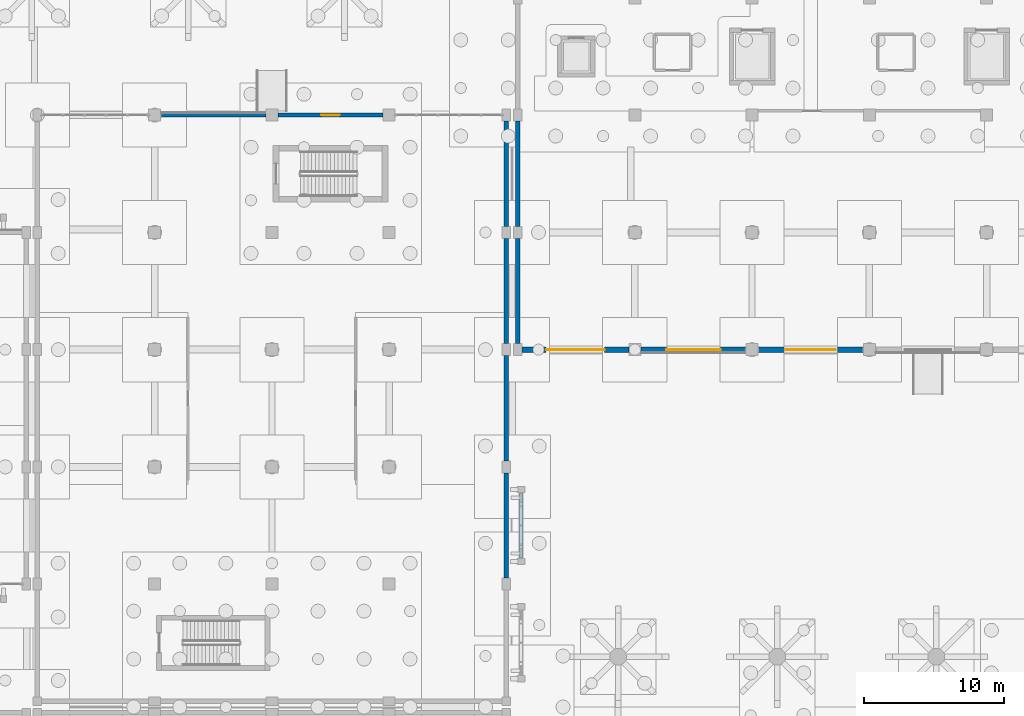
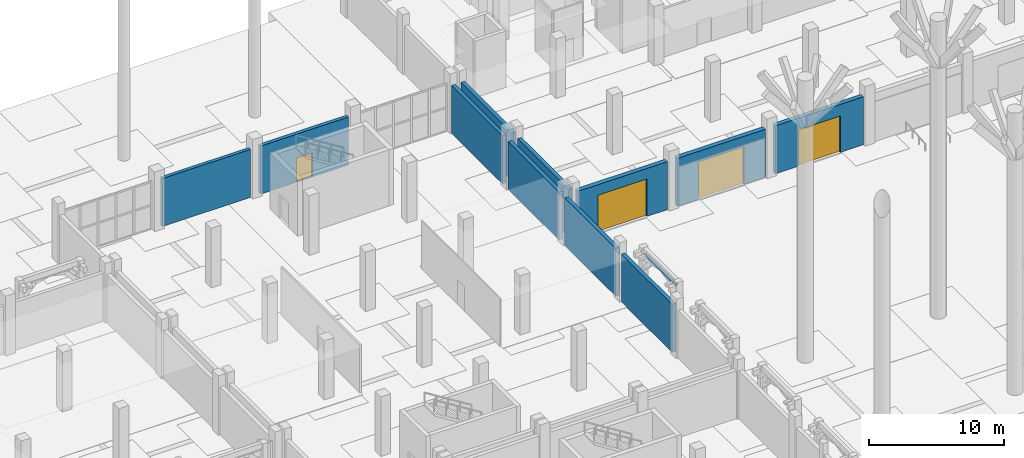
# One storey, part 69 of 98: 12 walls, 4 doors, 4 openings.
"""IFC4 building model written with IfcOpenShell, lengths in metres."""

from ifc_helpers import new_model, si_unit, direction, frame, frame_2d, origin, place, context, subcontext, project, spatial, rectangle, extrude, material, layer, layer_set, type_object, element, fill, save


model = new_model("IFC4")

# Units and contexts
model_context = context("Model", 3, precision=1e-05, world=origin(), true_north=direction((0.0, 1.0)))
body_context = subcontext(model_context, "Body", "Model", "MODEL_VIEW")
ifc_project = project(units=[si_unit("LENGTHUNIT", "METRE"), si_unit("AREAUNIT", "SQUARE_METRE"), si_unit("VOLUMEUNIT", "CUBIC_METRE"), si_unit("PLANEANGLEUNIT", "RADIAN"), si_unit("MASSUNIT", "GRAM", prefix="KILO")], contexts=[model_context])

# Site, building, storey
site_placement = place(None, origin())
site = spatial("IfcSite", under=ifc_project, at=site_placement, CompositionType="ELEMENT")
building_placement = place(site_placement, origin())
building = spatial("IfcBuilding", under=site, at=building_placement, Name="Xazarin Passage Department Store", CompositionType="ELEMENT")
storey_placement = place(building_placement, origin())
storey = spatial("IfcBuildingStorey", under=building, at=storey_placement, Name="L00", CompositionType="ELEMENT", Elevation=0.0)

# Wall, opening, door
ifc_material_1 = material(Name="Concrete C35/45", Category="concrete")
ifc_layer_1 = layer(ifc_material_1, 0.3798828125)
ifc_layer_set_1 = layer_set([ifc_layer_1], Name="Concrete C35/45")
wall_type_1 = type_object("IfcWallType", Name="ARC-W-DCK380", PredefinedType="SOLIDWALL", material=ifc_layer_set_1)
wall_1_placement = place(storey_placement, frame((102.699951171875, 76.39990234375, 0.0), z_axis=(0.0, 0.0, 1.0), x_axis=(1.0, 0.0, 0.0)))
wall_1 = element("IfcWall", 1, at=wall_1_placement, inside=storey, type_object=wall_type_1, Name="L00 V4 Exterior Wall 247", PredefinedType="SOLIDWALL", context=body_context, shape_type="SweptSolid", body=[
    extrude(rectangle(XDim=7.675048828125, YDim=0.3798828125, at=frame_2d((3.83740234375, 0.0))), origin(), (0.0, 0.0, 1.0), 4.35009765625),
])
opening_1_placement = place(wall_1_placement, frame((1.737548828125, 0.0, 0.0)))
opening_1 = element("IfcOpeningElement", 2, at=opening_1_placement, cuts=wall_1, Name="Opening DG-01", PredefinedType="OPENING", context=body_context, shape_type="SweptSolid", body=[
    extrude(rectangle(XDim=4.199951171875, YDim=3.39990234375, at=frame_2d((2.10009765625, 1.699951171875))), frame((0.0, 0.199951171875, 0.0), z_axis=(0.0, -1.0, 0.0), x_axis=(1.0, 0.0, 0.0)), (0.0, 0.0, 1.0), 0.39990234375),
])
ifc_material_2 = material(Name="Steel S355", Category="steel")
door_type_1 = type_object("IfcDoorType", Name="ARC-GT-DCK420", OperationType="NOTDEFINED", PredefinedType="GATE", material=ifc_material_2)
door_1_placement = place(opening_1_placement, origin())
door_1 = element("IfcDoor", 3, at=door_1_placement, inside=storey, type_object=door_type_1, Name="DR-GATE-01", OperationType="ROLLINGUP", OverallHeight=3.39990234375, OverallWidth=4.199951171875, PredefinedType="GATE", context=body_context, shape_type="SweptSolid", body=[
    extrude(rectangle(XDim=4.199951171875, YDim=3.39990234375, at=frame_2d((2.10009765625, 1.699951171875))), frame((0.0, 0.02490234375, 0.0), z_axis=(0.0, -1.0, 0.0), x_axis=(1.0, 0.0, 0.0)), (0.0, 0.0, 1.0), 0.050048828125),
])
fill(opening_1, door_1)

wall_2_placement = place(storey_placement, frame((111.22509765625, 76.39990234375, 0.0), z_axis=(0.0, 0.0, 1.0), x_axis=(1.0, 0.0, 0.0)))
wall_2 = element("IfcWall", 4, at=wall_2_placement, inside=storey, type_object=wall_type_1, Name="L00 V4 Exterior Wall 248", PredefinedType="SOLIDWALL", context=body_context, shape_type="SweptSolid", body=[
    extrude(rectangle(XDim=7.5498046875, YDim=0.3798828125, at=frame_2d((3.77490234375, 0.0))), origin(), (0.0, 0.0, 1.0), 4.35009765625),
])
opening_2_placement = place(wall_2_placement, frame((1.824951171875, 0.0, 0.0)))
opening_2 = element("IfcOpeningElement", 5, at=opening_2_placement, cuts=wall_2, Name="Opening DG-02", PredefinedType="OPENING", context=body_context, shape_type="SweptSolid", body=[
    extrude(rectangle(XDim=3.89990234375, YDim=3.39990234375, at=frame_2d((1.949951171875, 1.699951171875))), frame((0.0, 0.199951171875, 0.0), z_axis=(0.0, -1.0, 0.0), x_axis=(1.0, 0.0, 0.0)), (0.0, 0.0, 1.0), 0.39990234375),
])
door_type_2 = type_object("IfcDoorType", Name="ARC-GT-DCK390", OperationType="NOTDEFINED", PredefinedType="GATE", material=ifc_material_2)
door_2_placement = place(opening_2_placement, origin())
door_2 = element("IfcDoor", 6, at=door_2_placement, inside=storey, type_object=door_type_2, Name="DR-GATE-02", OperationType="ROLLINGUP", OverallHeight=3.39990234375, OverallWidth=3.89990234375, PredefinedType="GATE", context=body_context, shape_type="SweptSolid", body=[
    extrude(rectangle(XDim=3.89990234375, YDim=3.39990234375, at=frame_2d((1.949951171875, 1.699951171875))), frame((0.0, 0.02490234375, 0.0), z_axis=(0.0, -1.0, 0.0), x_axis=(1.0, 0.0, 0.0)), (0.0, 0.0, 1.0), 0.050048828125),
])
fill(opening_2, door_2)

wall_3_placement = place(storey_placement, frame((119.625, 76.39990234375, 0.0), z_axis=(0.0, 0.0, 1.0), x_axis=(1.0, 0.0, 0.0)))
wall_3 = element("IfcWall", 7, at=wall_3_placement, inside=storey, type_object=wall_type_1, Name="L00 V4 Exterior Wall 249", PredefinedType="SOLIDWALL", context=body_context, shape_type="SweptSolid", body=[
    extrude(rectangle(XDim=7.550048828125, YDim=0.3798828125, at=frame_2d((3.77490234375, 0.0))), origin(), (0.0, 0.0, 1.0), 4.35009765625),
])
opening_3_placement = place(wall_3_placement, frame((1.97509765625, 0.0, 0.0)))
opening_3 = element("IfcOpeningElement", 8, at=opening_3_placement, cuts=wall_3, Name="Opening DG-03", PredefinedType="OPENING", context=body_context, shape_type="SweptSolid", body=[
    extrude(rectangle(XDim=3.60009765625, YDim=3.300048828125, at=frame_2d((1.800048828125, 1.64990234375))), frame((0.0, 0.199951171875, 0.0), z_axis=(0.0, -1.0, 0.0), x_axis=(1.0, 0.0, 0.0)), (0.0, 0.0, 1.0), 0.39990234375),
])
door_type_3 = type_object("IfcDoorType", Name="ARC-GT-DCK360", OperationType="NOTDEFINED", PredefinedType="GATE", material=ifc_material_2)
door_3_placement = place(opening_3_placement, origin())
door_3 = element("IfcDoor", 9, at=door_3_placement, inside=storey, type_object=door_type_3, Name="DR-GATE-03", OperationType="ROLLINGUP", OverallHeight=3.300048828125, OverallWidth=3.60009765625, PredefinedType="GATE", context=body_context, shape_type="SweptSolid", body=[
    extrude(rectangle(XDim=3.60009765625, YDim=3.300048828125, at=frame_2d((1.800048828125, 1.64990234375))), frame((0.0, 0.02490234375, 0.0), z_axis=(0.0, -1.0, 0.0), x_axis=(1.0, 0.0, 0.0)), (0.0, 0.0, 1.0), 0.050048828125),
])
fill(opening_3, door_3)

# Wall
ifc_material_3 = material(Name="Precast concrete C40/50", Category="concrete")
ifc_layer_2 = layer(ifc_material_3, 0.280029296875)
ifc_layer_set_2 = layer_set([ifc_layer_2], Name="Precast concrete C40/50")
wall_type_2 = type_object("IfcWallType", Name="ARC-W-EXT280", PredefinedType="SOLIDWALL", material=ifc_layer_set_2)
wall_4_placement = place(storey_placement, frame((76.824951171875, 93.199951171875, 0.0), z_axis=(0.0, 0.0, 1.0), x_axis=(1.0, 0.0, 0.0)))
element("IfcWall", 10, at=wall_4_placement, inside=storey, type_object=wall_type_2, Name="L00 V2N Exterior Wall 142", PredefinedType="SOLIDWALL", context=body_context, shape_type="SweptSolid", body=[
    extrude(rectangle(XDim=7.550048828125, YDim=0.280029296875, at=frame_2d((3.77490234375, 0.0))), origin(), (0.0, 0.0, 1.0), 4.35009765625),
])

# Wall, opening, door
ifc_layer_3 = layer(ifc_material_3, 0.300048828125)
ifc_layer_set_3 = layer_set([ifc_layer_3], Name="Precast concrete C40/50")
wall_type_3 = type_object("IfcWallType", Name="ARC-W-EXT300", PredefinedType="SOLIDWALL", material=ifc_layer_set_3)
wall_5_placement = place(storey_placement, frame((85.22509765625, 93.199951171875, 0.0), z_axis=(0.0, 0.0, 1.0), x_axis=(1.0, 0.0, 0.0)))
wall_5 = element("IfcWall", 11, at=wall_5_placement, inside=storey, type_object=wall_type_3, Name="L00 V2N Exterior Wall 143", PredefinedType="SOLIDWALL", context=body_context, shape_type="SweptSolid", body=[
    extrude(rectangle(XDim=7.5498046875, YDim=0.300048828125, at=frame_2d((3.77490234375, 0.0))), origin(), (0.0, 0.0, 1.0), 4.35009765625),
])
opening_4_placement = place(wall_5_placement, frame((3.10009765625, 0.0, 0.0)))
opening_4 = element("IfcOpeningElement", 12, at=opening_4_placement, cuts=wall_5, Name="Opening ED6", PredefinedType="OPENING", context=body_context, shape_type="SweptSolid", body=[
    extrude(rectangle(XDim=1.35009765625, YDim=2.199951171875, at=frame_2d((0.675048828125, 1.10009765625))), frame((0.0, 0.159912109375, 0.0), z_axis=(0.0, -1.0, 0.0), x_axis=(1.0, 0.0, 0.0)), (0.0, 0.0, 1.0), 0.320068359375),
])
door_type_4 = type_object("IfcDoorType", Name="ARC-DR-EXT135", OperationType="NOTDEFINED", PredefinedType="DOOR", material=ifc_material_2)
door_4_placement = place(opening_4_placement, origin())
door_4 = element("IfcDoor", 13, at=door_4_placement, inside=storey, type_object=door_type_4, Name="DR-EXT-014", OperationType="SINGLE_SWING_LEFT", OverallHeight=2.199951171875, OverallWidth=1.35009765625, PredefinedType="DOOR", context=body_context, shape_type="SweptSolid", body=[
    extrude(rectangle(XDim=1.35009765625, YDim=2.199951171875, at=frame_2d((0.675048828125, 1.10009765625))), frame((0.0, 0.02490234375, 0.0), z_axis=(0.0, -1.0, 0.0), x_axis=(1.0, 0.0, 0.0)), (0.0, 0.0, 1.0), 0.050048828125),
])
fill(opening_4, door_4)

# Walls
ifc_material_4 = material(Name="Buff Baku clay brick", Category="masonry")
ifc_layer_4 = layer(ifc_material_4, 0.320068359375)
ifc_layer_set_4 = layer_set([ifc_layer_4], Name="Buff Baku clay brick")
wall_type_4 = type_object("IfcWallType", Name="ARC-W-EXT320", PredefinedType="SOLIDWALL", material=ifc_layer_set_4)
for number, where, z_axis, x_axis, name in (
    (14, (101.60009765625, 60.02490234375, 0.0), (0.0, 0.0, 1.0), (0.0, 1.0, 0.0), "L00 V2N Exterior Wall 150"),
    (15, (101.60009765625, 68.425048828125, 0.0), (0.0, 0.0, 1.0), (0.0, 1.0, 0.0), "L00 V2N Exterior Wall 151"),
    (16, (101.60009765625, 76.824951171875, 0.0), (0.0, 0.0, 1.0), (0.0, 1.0, 0.0), "L00 V2N Exterior Wall 152"),
):
    element("IfcWall", number, at=place(storey_placement, frame(where, z_axis=z_axis, x_axis=x_axis)), inside=storey, type_object=wall_type_4, Name=name, PredefinedType="SOLIDWALL", context=body_context, shape_type="SweptSolid", body=[
        extrude(rectangle(XDim=7.550048828125, YDim=0.320068359375, at=frame_2d((3.77490234375, 0.0))), origin(), (0.0, 0.0, 1.0), 4.35009765625),
    ])
wall_6_placement = place(storey_placement, frame((101.60009765625, 85.22509765625, 0.0), z_axis=(0.0, 0.0, 1.0), x_axis=(0.0, 1.0, 0.0)))
element("IfcWall", 17, at=wall_6_placement, inside=storey, type_object=wall_type_4, Name="L00 V2N Exterior Wall 153", PredefinedType="SOLIDWALL", context=body_context, shape_type="SweptSolid", body=[
    extrude(rectangle(XDim=7.5498046875, YDim=0.320068359375, at=frame_2d((3.77490234375, 0.0))), origin(), (0.0, 0.0, 1.0), 4.35009765625),
])
wall_7_placement = place(storey_placement, frame((102.39990234375, 76.824951171875, 0.0), z_axis=(0.0, 0.0, 1.0), x_axis=(0.0, 1.0, 0.0)))
element("IfcWall", 18, at=wall_7_placement, inside=storey, type_object=wall_type_4, Name="L00 V4 Exterior Wall 263", PredefinedType="SOLIDWALL", context=body_context, shape_type="SweptSolid", body=[
    extrude(rectangle(XDim=7.550048828125, YDim=0.320068359375, at=frame_2d((3.77490234375, 0.0))), origin(), (0.0, 0.0, 1.0), 4.35009765625),
])
wall_8_placement = place(storey_placement, frame((102.39990234375, 85.22509765625, 0.0), z_axis=(0.0, 0.0, 1.0), x_axis=(0.0, 1.0, 0.0)))
element("IfcWall", 19, at=wall_8_placement, inside=storey, type_object=wall_type_4, Name="L00 V4 Exterior Wall 264", PredefinedType="SOLIDWALL", context=body_context, shape_type="SweptSolid", body=[
    extrude(rectangle(XDim=7.5498046875, YDim=0.320068359375, at=frame_2d((3.77490234375, 0.0))), origin(), (0.0, 0.0, 1.0), 4.35009765625),
])
ifc_layer_5 = layer(ifc_material_3, 0.2099609375)
ifc_layer_set_5 = layer_set([ifc_layer_5], Name="Precast concrete C40/50")
wall_type_5 = type_object("IfcWallType", Name="ARC-W-PAR210", PredefinedType="PARAPET", material=ifc_layer_set_5)
wall_9_placement = place(storey_placement, frame((102.64990234375, 61.469970703125, 4.780029296875), z_axis=(0.0, 0.0, 1.0), x_axis=(0.0, 1.0, 0.0)))
element("IfcWall", 20, at=wall_9_placement, inside=storey, type_object=wall_type_5, Name="L00 V2N Pierced-Arch Spandrel Lintel 0105", PredefinedType="PARAPET", context=body_context, shape_type="SweptSolid", body=[
    extrude(rectangle(XDim=4.659912109375, YDim=0.2099609375, at=frame_2d((2.330078125, 0.0))), origin(), (0.0, 0.0, 1.0), 0.119873046875),
])

save(model, "model.ifc")
